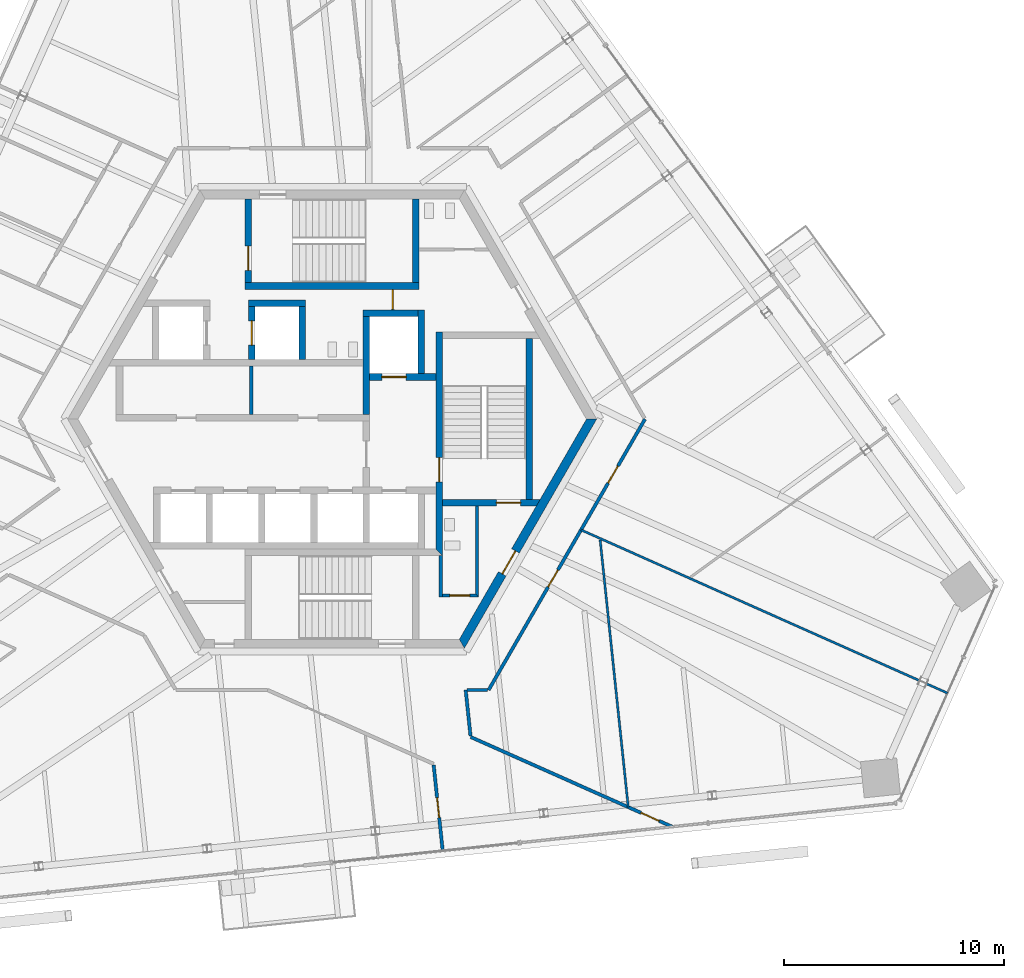
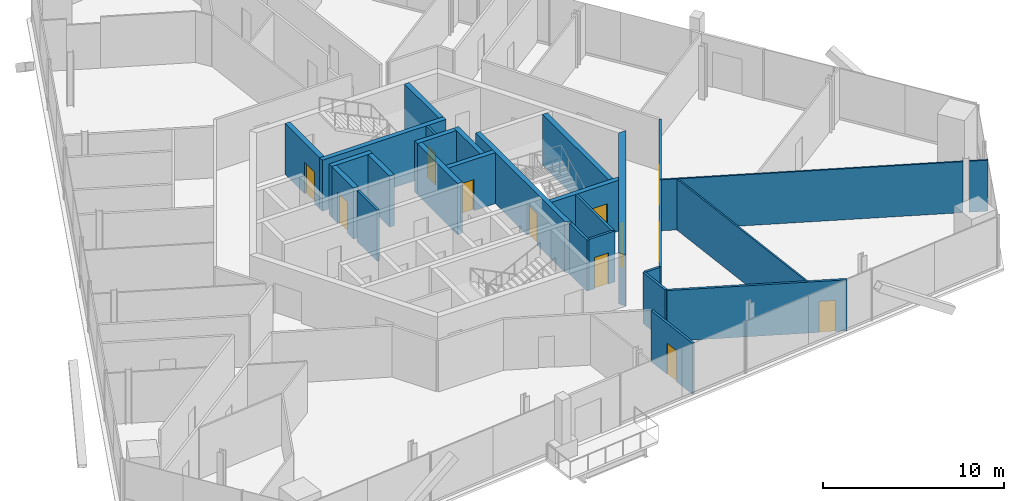
# One storey, part 13 of 19: 27 walls, 12 doors, 12 openings.
"""IFC4 building model written with IfcOpenShell, lengths in metres."""

import ifcopenshell
import ifcopenshell.guid

model = None  # the IFC model being written
_history = None  # IfcOwnerHistory: only IFC2X3 demands one
_inside = {}  # id of a spatial element -> (the spatial element, [elements in it])
_under = {}  # id of a project, library or spatial element -> (it, [spatial elements below it])
_declared = {}  # id of a project -> (the project, [libraries it declares])
_typed = {}  # id of a type object -> (the type object, [elements of that type])
_made_of = {}  # id of a material, layer set ... -> (it, [elements and type objects made of it])


def new_model(schema):
    """Start an empty IFC model of exactly this schema.

    Asked for "IFC4X3", IfcOpenShell would pick the latest addendum, in which some entities
    have other attributes; the version numbers below select the first issue.
    IFC2X3 requires an IfcOwnerHistory on every rooted entity: one is made here for all.
    """
    global model, _history
    if schema == "IFC4X3":
        model = ifcopenshell.file(schema_version=(4, 3, 0, 0))
    else:
        model = ifcopenshell.file(schema=schema)
    _inside.clear()
    _under.clear()
    _declared.clear()
    _typed.clear()
    _made_of.clear()
    _history = None
    if model.schema == "IFC2X3":
        org = make("IfcOrganization", Name="unknown")
        user = make(
            "IfcPersonAndOrganization",
            ThePerson=make("IfcPerson", FamilyName="unknown"),
            TheOrganization=org,
        )
        app = make(
            "IfcApplication",
            ApplicationDeveloper=org,
            Version="unknown",
            ApplicationFullName="unknown",
            ApplicationIdentifier="unknown",
        )
        _history = make(
            "IfcOwnerHistory",
            OwningUser=user,
            OwningApplication=app,
            ChangeAction="ADDED",
            CreationDate=0,
        )
    return model


def make(cls, **values):
    """One entity of the class cls with the attributes given. An attribute that is None is left unset."""
    return model.create_entity(
        cls, **{name: value for name, value in values.items() if value is not None}
    )


def rooted(cls, **values):
    """An entity with a GlobalId (a new one), such as an element, a storey or a relation."""
    return make(cls, GlobalId=ifcopenshell.guid.new(), OwnerHistory=_history, **values)


def si_unit(unit_type, name, prefix=None):
    """IfcSIUnit, for example si_unit("LENGTHUNIT", "METRE", prefix="MILLI")."""
    return make("IfcSIUnit", UnitType=unit_type, Prefix=prefix, Name=name)


def assignment(units):
    """IfcUnitAssignment: the units of a project."""
    return None if units is None else make("IfcUnitAssignment", Units=units)


def point(xyz):
    """IfcCartesianPoint."""
    return None if xyz is None else make("IfcCartesianPoint", Coordinates=xyz)


def direction(xyz):
    """IfcDirection."""
    return None if xyz is None else make("IfcDirection", DirectionRatios=xyz)


def frame(location, z_axis=None, x_axis=None):
    """IfcAxis2Placement3D, a coordinate frame: its origin and axes. An axis left out is left unset."""
    return make(
        "IfcAxis2Placement3D",
        Location=point(location),
        Axis=direction(z_axis),
        RefDirection=direction(x_axis),
    )


def frame_2d(location, x_axis=None):
    """IfcAxis2Placement2D, a coordinate frame in the plane: its origin and x axis."""
    return make(
        "IfcAxis2Placement2D", Location=point(location), RefDirection=direction(x_axis)
    )


def origin():
    """The frame at (0, 0, 0) with its axes left unset."""
    return frame((0.0, 0.0, 0.0))


def place(relative_to, where):
    """IfcLocalPlacement: puts the frame where relative to a parent placement (None: the world)."""
    return make(
        "IfcLocalPlacement", PlacementRelTo=relative_to, RelativePlacement=where
    )


def context(
    kind, dimensions, precision=None, world=None, true_north=None, identifier=None
):
    """IfcGeometricRepresentationContext, for example the 3D "Model" context."""
    return make(
        "IfcGeometricRepresentationContext",
        ContextIdentifier=identifier,
        ContextType=kind,
        CoordinateSpaceDimension=dimensions,
        Precision=precision,
        WorldCoordinateSystem=world,
        TrueNorth=true_north,
    )


def subcontext(parent, identifier, kind, view, scale=None):
    """IfcGeometricRepresentationSubContext, for example "Body" below "Model"."""
    return make(
        "IfcGeometricRepresentationSubContext",
        ContextIdentifier=identifier,
        ContextType=kind,
        ParentContext=parent,
        TargetScale=scale,
        TargetView=view,
    )


def project(units=None, contexts=None):
    """IfcProject with its units and contexts."""
    return rooted(
        "IfcProject",
        Name="project",
        RepresentationContexts=contexts,
        UnitsInContext=assignment(units),
    )


def spatial(cls, under=None, at=None, **own):
    """A site, building, storey or space (cls), placed at a placement, below another one or the project."""
    s = rooted(cls, ObjectPlacement=at, **own)
    if under is not None:
        _under.setdefault(under.id(), (under, []))[1].append(s)
    return s


def polyline(points):
    """IfcPolyline through the points."""
    return make("IfcPolyline", Points=[point(p) for p in points])


def profile(cls, at=None, kind="AREA", **sizes):
    """A parametric profile (cls). Its sizes go by their IFC names, for example OverallWidth=200.0."""
    return make(cls, ProfileType=kind, Position=at, **sizes)


def rectangle(**sizes):
    """IfcRectangleProfileDef."""
    return profile("IfcRectangleProfileDef", **sizes)


def outline(outer, holes=None, kind="AREA"):
    """IfcArbitraryClosedProfileDef: a profile drawn as a closed curve; with holes, ...WithVoids."""
    if holes is None:
        return make("IfcArbitraryClosedProfileDef", ProfileType=kind, OuterCurve=outer)
    return make(
        "IfcArbitraryProfileDefWithVoids",
        ProfileType=kind,
        OuterCurve=outer,
        InnerCurves=holes,
    )


def extrude(swept, where, along, depth):
    """IfcExtrudedAreaSolid: the profile swept, set in the frame where, extruded along a direction by depth."""
    return make(
        "IfcExtrudedAreaSolid",
        SweptArea=swept,
        Position=where,
        ExtrudedDirection=direction(along),
        Depth=depth,
    )


def shape(context_of_items, identifier, shape_type, items):
    """IfcShapeRepresentation: the items that make up one representation, for example the "Body"."""
    return make(
        "IfcShapeRepresentation",
        ContextOfItems=context_of_items,
        RepresentationIdentifier=identifier,
        RepresentationType=shape_type,
        Items=items,
    )


def source(mapping_origin, context_of_items, identifier, shape_type, items):
    """IfcRepresentationMap: a shape defined once, which mapped items show again and again."""
    return make(
        "IfcRepresentationMap",
        MappingOrigin=mapping_origin,
        MappedRepresentation=shape(context_of_items, identifier, shape_type, items),
    )


def transform(
    local_origin,
    x_axis=None,
    y_axis=None,
    z_axis=None,
    scale=None,
    scale2=None,
    scale3=None,
    uniform=True,
):
    """IfcCartesianTransformationOperator3D, or its non-uniform kind. x_axis, y_axis, z_axis: its Axis1, 2, 3."""
    if uniform:
        return make(
            "IfcCartesianTransformationOperator3D",
            Axis1=direction(x_axis),
            Axis2=direction(y_axis),
            LocalOrigin=point(local_origin),
            Scale=scale,
            Axis3=direction(z_axis),
        )
    return make(
        "IfcCartesianTransformationOperator3DnonUniform",
        Axis1=direction(x_axis),
        Axis2=direction(y_axis),
        LocalOrigin=point(local_origin),
        Scale=scale,
        Axis3=direction(z_axis),
        Scale2=scale2,
        Scale3=scale3,
    )


def mapped(mapping_source, mapping_target):
    """IfcMappedItem: shows the shape of a source again, moved by a transform."""
    return make(
        "IfcMappedItem", MappingSource=mapping_source, MappingTarget=mapping_target
    )


def material(Name=None, Category=None):
    """IfcMaterial."""
    return make("IfcMaterial", Name=Name, Category=Category)


def layer(
    of_material, thickness, ventilated=None, Name=None, Category=None, Priority=None
):
    """IfcMaterialLayer: one layer of a wall or slab, of a material (None: an air gap)."""
    return make(
        "IfcMaterialLayer",
        Material=of_material,
        LayerThickness=thickness,
        IsVentilated=ventilated,
        Name=Name,
        Category=Category,
        Priority=Priority,
    )


def layer_set(layers, Name=None):
    """IfcMaterialLayerSet."""
    return make("IfcMaterialLayerSet", MaterialLayers=layers, LayerSetName=Name)


def made_of(thing, what):
    """Note that an element or type object is made of a material, layer set ...; save() writes the relation."""
    if what is not None:
        _made_of.setdefault(what.id(), (what, []))[1].append(thing)
    return thing


def type_object(cls, material=None, **own):
    """A type object (cls), such as IfcWallType, which elements share."""
    return made_of(rooted(cls, **own), material)


def element(
    cls,
    number,
    at=None,
    inside=None,
    cuts=None,
    type_object=None,
    material=None,
    context=None,
    identifier="Body",
    shape_type=None,
    held_by="IfcProductDefinitionShape",
    body=None,
    shapes=None,
    **own,
):
    """One element of the class cls, such as IfcWall. Its Tag is "e" and its number.

    at: its placement. inside: the storey or other place that contains it. cuts: it is an
    opening in that element (IfcRelVoidsElement). A single representation is given by context,
    identifier, shape_type and body (its items); several are given by shapes. held_by: the class
    of the entity that holds the representations. save() writes the other relations.
    """
    e = rooted(cls, Tag="e%d" % number, ObjectPlacement=at, **own)
    if body is not None:
        shapes = [shape(context, identifier, shape_type, body)]
    if shapes is not None:
        e.Representation = make(held_by, Representations=shapes)
    if inside is not None:
        _inside.setdefault(inside.id(), (inside, []))[1].append(e)
    if cuts is not None:
        rooted(
            "IfcRelVoidsElement", RelatingBuildingElement=cuts, RelatedOpeningElement=e
        )
    if type_object is not None:
        _typed.setdefault(type_object.id(), (type_object, []))[1].append(e)
    return made_of(e, material)


def fill(opening, filler):
    """IfcRelFillsElement: the door or window that sits in an opening."""
    return rooted(
        "IfcRelFillsElement",
        RelatingOpeningElement=opening,
        RelatedBuildingElement=filler,
    )


def aggregate(whole, parts):
    """IfcRelAggregates: a whole, such as a stair, and the parts it consists of."""
    return rooted("IfcRelAggregates", RelatingObject=whole, RelatedObjects=parts)


def save(model, path):
    """Write the relations noted so far, then the file.

    IfcRelAggregates (storeys below a building ...), IfcRelContainedInSpatialStructure (elements
    in a storey), IfcRelDefinesByType, IfcRelAssociatesMaterial and IfcRelDeclares: one each for
    every whole, place, type object, material and project.
    """
    for whole, parts in _under.values():
        aggregate(whole, parts)
    for where, things in _inside.values():
        rooted(
            "IfcRelContainedInSpatialStructure",
            RelatedElements=things,
            RelatingStructure=where,
        )
    for kind, things in _typed.values():
        rooted("IfcRelDefinesByType", RelatedObjects=things, RelatingType=kind)
    for what, things in _made_of.values():
        rooted("IfcRelAssociatesMaterial", RelatedObjects=things, RelatingMaterial=what)
    for by, libraries in _declared.values():
        rooted("IfcRelDeclares", RelatingContext=by, RelatedDefinitions=libraries)
    model.write(path)


model = new_model("IFC4")

# Units and contexts
model_context = context("Model", 3, precision=1e-05, world=origin(), true_north=direction((0.0, 1.0)))
body_context = subcontext(model_context, "Body", "Model", "MODEL_VIEW")
ifc_project = project(units=[si_unit("LENGTHUNIT", "METRE"), si_unit("AREAUNIT", "SQUARE_METRE"), si_unit("VOLUMEUNIT", "CUBIC_METRE"), si_unit("PLANEANGLEUNIT", "RADIAN"), si_unit("MASSUNIT", "GRAM", prefix="KILO")], contexts=[model_context])

# Site, building, storey
site_placement = place(None, origin())
site = spatial("IfcSite", under=ifc_project, at=site_placement, CompositionType="ELEMENT")
building_placement = place(site_placement, origin())
building = spatial("IfcBuilding", under=site, at=building_placement, Name="Triune Harvest Tower", CompositionType="ELEMENT")
storey_placement = place(building_placement, frame((0.0, 0.0, 223.300048828125)))
storey = spatial("IfcBuildingStorey", under=building, at=storey_placement, Name="L58", CompositionType="ELEMENT", Elevation=223.300048828125)

# Wall, opening, door
ifc_material_1 = material(Name="Gypsum board on steel studs", Category="steel")
ifc_layer_1 = layer(ifc_material_1, 0.14990234375)
ifc_layer_set_1 = layer_set([ifc_layer_1], Name="Gypsum board on steel studs")
wall_type_1 = type_object("IfcWallType", Name="Fire Partition 150 mm", PredefinedType="PARTITIONING", material=ifc_layer_set_1)
wall_1_placement = place(storey_placement, frame((6.281494140625, -14.4208984375, 0.0), z_axis=(0.0, 0.0, 1.0), x_axis=(0.913540796146, -0.406747112808, 0.0)))
wall_1 = element("IfcWall", 1, at=wall_1_placement, inside=storey, type_object=wall_type_1, Name="Partition L58 021", PredefinedType="PARTITIONING", context=body_context, shape_type="SweptSolid", body=[
    extrude(rectangle(XDim=10.010009765625, YDim=0.14990234375, at=frame_2d((5.0048828125, 0.0))), origin(), (0.0, 0.0, 1.0), 3.43994140625),
])
opening_1_placement = place(wall_1_placement, frame((8.4599609375, 0.0, 0.0)))
opening_1 = element("IfcOpeningElement", 2, at=opening_1_placement, cuts=wall_1, Name="Opening L58-026", PredefinedType="OPENING", context=body_context, shape_type="SweptSolid", body=[
    extrude(rectangle(XDim=0.89990234375, YDim=2.10009765625, at=frame_2d((0.449951171875, 1.050048828125))), frame((0.0, 0.0849609375, 0.0), z_axis=(0.0, -1.0, 0.0), x_axis=(1.0, 0.0, 0.0)), (0.0, 0.0, 1.0), 0.169921875),
])
ifc_material_2 = material(Name="Timber and steel door set", Category="steel")
door_type_1 = type_object("IfcDoorType", Name="Single leaf door FD30 right hand 900 x 2100", OperationType="SINGLE_SWING_RIGHT", PredefinedType="DOOR", material=ifc_material_2)
door_1_placement = place(opening_1_placement, origin())
door_1 = element("IfcDoor", 3, at=door_1_placement, inside=storey, type_object=door_type_1, Name="Door L58-026 Open Office 58.26", OperationType="SINGLE_SWING_RIGHT", OverallHeight=2.10009765625, OverallWidth=0.89990234375, PredefinedType="DOOR", context=body_context, shape_type="SweptSolid", body=[
    extrude(rectangle(XDim=0.89990234375, YDim=2.10009765625, at=frame_2d((0.449951171875, 1.050048828125))), frame((0.0, 0.02490234375, 0.0), z_axis=(0.0, -1.0, 0.0), x_axis=(1.0, 0.0, 0.0)), (0.0, 0.0, 1.0), 0.050048828125),
])
fill(opening_1, door_1)

# Walls
ifc_material_3 = material(Name="Gypsum board on steel studs", Category="steel")
ifc_layer_2 = layer(ifc_material_3, 0.10009765625)
ifc_layer_set_2 = layer_set([ifc_layer_2], Name="Gypsum board on steel studs")
wall_type_2 = type_object("IfcWallType", Name="Partition 100 mm", PredefinedType="PARTITIONING", material=ifc_layer_set_2)
wall_2_placement = place(storey_placement, frame((12.158447265625, -5.4794921875, 0.0), z_axis=(0.0, 0.0, 1.0), x_axis=(0.104546150466, -0.99452003621, 0.0)))
element("IfcWall", 4, at=wall_2_placement, inside=storey, type_object=wall_type_2, Name="Partition L58 008", PredefinedType="PARTITIONING", context=body_context, shape_type="SweptSolid", body=[
    extrude(rectangle(XDim=12.1923828125, YDim=0.10009765625, at=frame_2d((6.09619140625, 0.0))), origin(), (0.0, 0.0, 1.0), 3.43994140625),
])
wall_3_placement = place(storey_placement, frame((11.29150390625, -5.02734375, 0.0), z_axis=(0.0, 0.0, 1.0), x_axis=(0.913543766061, -0.406740442409, 0.0)))
element("IfcWall", 5, at=wall_3_placement, inside=storey, type_object=wall_type_2, Name="Partition L58 027", PredefinedType="PARTITIONING", context=body_context, shape_type="SweptSolid", body=[
    extrude(rectangle(XDim=16.818115234375, YDim=0.10009765625, at=frame_2d((8.4091796875, 0.0))), origin(), (0.0, 0.0, 1.0), 3.43994140625),
])

# Wall, opening, door
ifc_material_4 = material(Name="Concrete 70 MPa", Category="concrete")
ifc_layer_3 = layer(ifc_material_4, 0.39990234375)
ifc_layer_set_3 = layer_set([ifc_layer_3], Name="Concrete 70 MPa")
wall_type_3 = type_object("IfcWallType", Name="Core wall 400", PredefinedType="SHEAR", material=ifc_layer_set_3)
shared_shape_1 = source(origin(), body_context, "Body", "SweptSolid", [
    extrude(outline(polyline([(-0.115478515625, -0.199951171875), (11.884521484375, -0.199951171875), (11.653564453125, 0.199951171875), (0.115478515625, 0.199951171875), (-0.115478515625, -0.199951171875)])), origin(), (0.0, 0.0, 1.0), 3.43994140625),
])
wall_4_placement = place(storey_placement, frame((5.884521484375, -10.1923828125, 0.0), z_axis=(0.0, 0.0, 1.0), x_axis=(0.499996592174, 0.866027371285, 0.0)))
wall_4 = element("IfcWall", 6, at=wall_4_placement, inside=storey, type_object=wall_type_3, Name="Hexagon 5 wall", PredefinedType="SHEAR", context=body_context, shape_type="MappedRepresentation", body=[
    mapped(shared_shape_1, transform((0.0, 0.0, 0.0), scale=1.0)),
])
opening_2_placement = place(wall_4_placement, frame((3.66455078125, 0.0, 0.0)))
opening_2 = element("IfcOpeningElement", 7, at=opening_2_placement, cuts=wall_4, Name="Opening CD-DP", PredefinedType="OPENING", context=body_context, shape_type="SweptSolid", body=[
    extrude(rectangle(XDim=1.199951171875, YDim=2.10009765625, at=frame_2d((0.60009765625, 1.050048828125))), frame((0.0, 0.2099609375, 0.0), z_axis=(0.0, -1.0, 0.0), x_axis=(1.0, 0.0, 0.0)), (0.0, 0.0, 1.0), 0.419921875),
])
ifc_material_5 = material(Name="Steel S235", Category="steel")
door_type_2 = type_object("IfcDoorType", Name="Stair door 1200 FD120", OperationType="SINGLE_SWING_LEFT", PredefinedType="DOOR", material=ifc_material_5)
door_2_placement = place(opening_2_placement, frame((1.199951171875, 0.0, 0.0), z_axis=(0.0, 0.0, 1.0), x_axis=(-1.0, 0.0, 0.0)))
door_2 = element("IfcDoor", 8, at=door_2_placement, inside=storey, type_object=door_type_2, Name="Door CD-DP", OperationType="SINGLE_SWING_RIGHT", OverallHeight=2.10009765625, OverallWidth=1.199951171875, PredefinedType="DOOR", context=body_context, shape_type="SweptSolid", body=[
    extrude(rectangle(XDim=1.199951171875, YDim=2.10009765625, at=frame_2d((0.60009765625, 1.050048828125))), frame((0.0, 0.02490234375, 0.0), z_axis=(0.0, -1.0, 0.0), x_axis=(1.0, 0.0, 0.0)), (0.0, 0.0, 1.0), 0.050048828125),
])
fill(opening_2, door_2)

# Walls
ifc_material_6 = material(Name="Concrete 70 MPa", Category="concrete")
ifc_layer_4 = layer(ifc_material_6, 0.300048828125)
ifc_layer_set_4 = layer_set([ifc_layer_4], Name="Concrete 70 MPa")
wall_type_4 = type_object("IfcWallType", Name="Core wall 300", PredefinedType="SHEAR", material=ifc_layer_set_4)
shared_shape_2 = source(origin(), body_context, "Body", "SweptSolid", [
    extrude(rectangle(XDim=2.5, YDim=0.300048828125, at=frame_2d((1.25, 0.0))), origin(), (0.0, 0.0, 1.0), 3.43994140625),
])
wall_5_placement = place(storey_placement, frame((1.39990234375, 4.81005859375, 0.0), z_axis=(0.0, 0.0, 1.0), x_axis=(1.0, 0.0, 0.0)))
element("IfcWall", 9, at=wall_5_placement, inside=storey, type_object=wall_type_4, Name="Ff1 back wall", PredefinedType="SHEAR", context=body_context, shape_type="MappedRepresentation", body=[
    mapped(shared_shape_2, transform((0.0, 0.0, 0.0), scale=1.0)),
])
shared_shape_3 = source(origin(), body_context, "Body", "SweptSolid", [
    extrude(rectangle(XDim=4.449951171875, YDim=0.300048828125, at=frame_2d((2.22509765625, 0.0))), origin(), (0.0, 0.0, 1.0), 3.43994140625),
])
wall_6_placement = place(storey_placement, frame((1.550048828125, 0.2099609375, 0.0), z_axis=(0.0, 0.0, 1.0), x_axis=(0.0, 1.0, 0.0)))
element("IfcWall", 10, at=wall_6_placement, inside=storey, type_object=wall_type_4, Name="Ff1 west wall", PredefinedType="SHEAR", context=body_context, shape_type="MappedRepresentation", body=[
    mapped(shared_shape_3, transform((0.0, 0.0, 0.0), scale=1.0)),
])

# Wall, opening, door
shared_shape_4 = source(origin(), body_context, "Body", "SweptSolid", [
    extrude(rectangle(XDim=3.0, YDim=0.300048828125, at=frame_2d((1.5, 0.0))), origin(), (0.0, 0.0, 1.0), 3.43994140625),
])
wall_7_placement = place(storey_placement, frame((1.699951171875, 1.909912109375, 0.0), z_axis=(0.0, 0.0, 1.0), x_axis=(1.0, 0.0, 0.0)))
wall_7 = element("IfcWall", 11, at=wall_7_placement, inside=storey, type_object=wall_type_4, Name="Ff1 front wall", PredefinedType="SHEAR", context=body_context, shape_type="MappedRepresentation", body=[
    mapped(shared_shape_4, transform((0.0, 0.0, 0.0), scale=1.0)),
])
opening_3_placement = place(wall_7_placement, frame((0.550048828125, 0.0, 0.0)))
opening_3 = element("IfcOpeningElement", 12, at=opening_3_placement, cuts=wall_7, Name="Opening LD-FF1-58", PredefinedType="OPENING", context=body_context, shape_type="SweptSolid", body=[
    extrude(rectangle(XDim=1.10009765625, YDim=2.10009765625, at=frame_2d((0.550048828125, 1.050048828125))), frame((0.0, 0.16015625, 0.0), z_axis=(0.0, -1.0, 0.0), x_axis=(1.0, 0.0, 0.0)), (0.0, 0.0, 1.0), 0.320068359375),
])
ifc_material_7 = material(Name="Stainless steel AISI 304", Category="steel")
door_type_3 = type_object("IfcDoorType", Name="Landing door 1100 x 2100", OperationType="DOUBLE_DOOR_SLIDING", PredefinedType="DOOR", material=ifc_material_7)
door_3_placement = place(opening_3_placement, origin())
door_3 = element("IfcDoor", 13, at=door_3_placement, inside=storey, type_object=door_type_3, Name="Door LD-FF1-58", OperationType="DOUBLE_DOOR_SLIDING", OverallHeight=2.10009765625, OverallWidth=1.10009765625, PredefinedType="DOOR", context=body_context, shape_type="SweptSolid", body=[
    extrude(rectangle(XDim=1.10009765625, YDim=2.10009765625, at=frame_2d((0.550048828125, 1.050048828125))), frame((0.0, 0.02490234375, 0.0), z_axis=(0.0, -1.0, 0.0), x_axis=(1.0, 0.0, 0.0)), (0.0, 0.0, 1.0), 0.050048828125),
])
fill(opening_3, door_3)

# Wall
shared_shape_5 = source(origin(), body_context, "Body", "SweptSolid", [
    extrude(rectangle(XDim=2.89990234375, YDim=0.300048828125, at=frame_2d((1.449951171875, 0.0))), origin(), (0.0, 0.0, 1.0), 3.43994140625),
])
wall_8_placement = place(storey_placement, frame((4.050048828125, 2.06005859375, 0.0), z_axis=(0.0, 0.0, 1.0), x_axis=(0.0, 1.0, 0.0)))
element("IfcWall", 14, at=wall_8_placement, inside=storey, type_object=wall_type_4, Name="Ff1 east wall", PredefinedType="SHEAR", context=body_context, shape_type="MappedRepresentation", body=[
    mapped(shared_shape_5, transform((0.0, 0.0, 0.0), scale=1.0)),
])

# Wall, opening, door
shared_shape_6 = source(origin(), body_context, "Body", "SweptSolid", [
    extrude(outline(polyline([(-0.14990234375, -0.14990234375), (9.989990234375, -0.14990234375), (9.989990234375, 0.14990234375), (0.14990234375, 0.14990234375), (-0.14990234375, -0.14990234375)])), origin(), (0.0, 0.0, 1.0), 3.43994140625),
])
wall_9_placement = place(storey_placement, frame((4.85009765625, -6.0400390625, 0.0), z_axis=(0.0, 0.0, 1.0), x_axis=(0.0, 1.0, 0.0)))
wall_9 = element("IfcWall", 15, at=wall_9_placement, inside=storey, type_object=wall_type_4, Name="Stair e west wall", PredefinedType="SHEAR", context=body_context, shape_type="MappedRepresentation", body=[
    mapped(shared_shape_6, transform((0.0, 0.0, 0.0), scale=1.0)),
])
opening_4_placement = place(wall_9_placement, frame((3.18994140625, 0.0, 0.0)))
opening_4 = element("IfcOpeningElement", 16, at=opening_4_placement, cuts=wall_9, Name="Opening CD-S3L", PredefinedType="OPENING", context=body_context, shape_type="SweptSolid", body=[
    extrude(rectangle(XDim=1.10009765625, YDim=2.10009765625, at=frame_2d((0.550048828125, 1.050048828125))), frame((0.0, 0.16015625, 0.0), z_axis=(0.0, -1.0, 0.0), x_axis=(1.0, 0.0, 0.0)), (0.0, 0.0, 1.0), 0.320068359375),
])
ifc_material_8 = material(Name="Steel S235", Category="steel")
door_type_4 = type_object("IfcDoorType", Name="Stair door 1100 FD120", OperationType="SINGLE_SWING_LEFT", PredefinedType="DOOR", material=ifc_material_8)
door_4_placement = place(opening_4_placement, frame((1.10009765625, 0.0, 0.0), z_axis=(0.0, 0.0, 1.0), x_axis=(-1.0, 0.0, 0.0)))
door_4 = element("IfcDoor", 17, at=door_4_placement, inside=storey, type_object=door_type_4, Name="Door CD-S3L", OperationType="SINGLE_SWING_RIGHT", OverallHeight=2.10009765625, OverallWidth=1.10009765625, PredefinedType="DOOR", context=body_context, shape_type="SweptSolid", body=[
    extrude(rectangle(XDim=1.10009765625, YDim=2.10009765625, at=frame_2d((0.550048828125, 1.050048828125))), frame((0.0, 0.02490234375, 0.0), z_axis=(0.0, -1.0, 0.0), x_axis=(1.0, 0.0, 0.0)), (0.0, 0.0, 1.0), 0.050048828125),
])
fill(opening_4, door_4)

shared_shape_7 = source(origin(), body_context, "Body", "SweptSolid", [
    extrude(outline(polyline([(0.0, -0.14990234375), (0.0, 0.14990234375), (4.43310546875, 0.14990234375), (4.260009765625, -0.14990234375), (0.0, -0.14990234375)])), origin(), (0.0, 0.0, 1.0), 3.43994140625),
])
wall_10_placement = place(storey_placement, frame((5.0, -3.800048828125, 0.0), z_axis=(0.0, 0.0, 1.0), x_axis=(1.0, 0.0, 0.0)))
wall_10 = element("IfcWall", 18, at=wall_10_placement, inside=storey, type_object=wall_type_4, Name="Stair e south wall", PredefinedType="SHEAR", context=body_context, shape_type="MappedRepresentation", body=[
    mapped(shared_shape_7, transform((0.0, 0.0, 0.0), scale=1.0)),
])
opening_5_placement = place(wall_10_placement, frame((2.449951171875, 0.0, 0.0)))
opening_5 = element("IfcOpeningElement", 19, at=opening_5_placement, cuts=wall_10, Name="Opening CD-S3D", PredefinedType="OPENING", context=body_context, shape_type="SweptSolid", body=[
    extrude(rectangle(XDim=1.10009765625, YDim=2.10009765625, at=frame_2d((0.550048828125, 1.050048828125))), frame((0.0, 0.16015625, 0.0), z_axis=(0.0, -1.0, 0.0), x_axis=(1.0, 0.0, 0.0)), (0.0, 0.0, 1.0), 0.320068359375),
])
door_5_placement = place(opening_5_placement, frame((1.10009765625, 0.0, 0.0), z_axis=(0.0, 0.0, 1.0), x_axis=(-1.0, 0.0, 0.0)))
door_5 = element("IfcDoor", 20, at=door_5_placement, inside=storey, type_object=door_type_4, Name="Door CD-S3D", OperationType="SINGLE_SWING_RIGHT", OverallHeight=2.10009765625, OverallWidth=1.10009765625, PredefinedType="DOOR", context=body_context, shape_type="SweptSolid", body=[
    extrude(rectangle(XDim=1.10009765625, YDim=2.10009765625, at=frame_2d((0.550048828125, 1.050048828125))), frame((0.0, 0.02490234375, 0.0), z_axis=(0.0, -1.0, 0.0), x_axis=(1.0, 0.0, 0.0)), (0.0, 0.0, 1.0), 0.050048828125),
])
fill(opening_5, door_5)

# Walls
shared_shape_8 = source(origin(), body_context, "Body", "SweptSolid", [
    extrude(rectangle(XDim=7.2998046875, YDim=0.300048828125, at=frame_2d((3.64990234375, 0.0))), origin(), (0.0, 0.0, 1.0), 3.43994140625),
])
wall_11_placement = place(storey_placement, frame((8.949951171875, -3.64990234375, 0.0), z_axis=(0.0, 0.0, 1.0), x_axis=(0.0, 1.0, 0.0)))
element("IfcWall", 21, at=wall_11_placement, inside=storey, type_object=wall_type_4, Name="Stair e east wall", PredefinedType="SHEAR", context=body_context, shape_type="MappedRepresentation", body=[
    mapped(shared_shape_8, transform((0.0, 0.0, 0.0), scale=1.0)),
])
shared_shape_9 = source(origin(), body_context, "Body", "SweptSolid", [
    extrude(rectangle(XDim=7.89990234375, YDim=0.300048828125, at=frame_2d((3.949951171875, 0.0))), origin(), (0.0, 0.0, 1.0), 3.43994140625),
])
wall_12_placement = place(storey_placement, frame((-3.949951171875, 6.0400390625, 0.0), z_axis=(0.0, 0.0, 1.0), x_axis=(1.0, 0.0, 0.0)))
element("IfcWall", 22, at=wall_12_placement, inside=storey, type_object=wall_type_4, Name="Stair n south wall", PredefinedType="SHEAR", context=body_context, shape_type="MappedRepresentation", body=[
    mapped(shared_shape_9, transform((0.0, 0.0, 0.0), scale=1.0)),
])

# Wall, opening, door
shared_shape_10 = source(origin(), body_context, "Body", "SweptSolid", [
    extrude(outline(polyline([(0.0, -0.14990234375), (0.0, 0.14990234375), (3.80419921875, 0.14990234375), (3.80419921875, -0.14990234375), (0.0, -0.14990234375)])), origin(), (0.0, 0.0, 1.0), 3.43994140625),
])
wall_13_placement = place(storey_placement, frame((-3.800048828125, 6.18994140625, 0.0), z_axis=(0.0, 0.0, 1.0), x_axis=(0.0, 1.0, 0.0)))
wall_13 = element("IfcWall", 23, at=wall_13_placement, inside=storey, type_object=wall_type_4, Name="Stair n west wall", PredefinedType="SHEAR", context=body_context, shape_type="MappedRepresentation", body=[
    mapped(shared_shape_10, transform((0.0, 0.0, 0.0), scale=1.0)),
])
opening_6_placement = place(wall_13_placement, frame((0.56005859375, 0.0, 0.0)))
opening_6 = element("IfcOpeningElement", 24, at=opening_6_placement, cuts=wall_13, Name="Opening CD-S1L", PredefinedType="OPENING", context=body_context, shape_type="SweptSolid", body=[
    extrude(rectangle(XDim=1.10009765625, YDim=2.10009765625, at=frame_2d((0.550048828125, 1.050048828125))), frame((0.0, 0.16015625, 0.0), z_axis=(0.0, -1.0, 0.0), x_axis=(1.0, 0.0, 0.0)), (0.0, 0.0, 1.0), 0.320068359375),
])
door_6_placement = place(opening_6_placement, frame((1.10009765625, 0.0, 0.0), z_axis=(0.0, 0.0, 1.0), x_axis=(-1.0, 0.0, 0.0)))
door_6 = element("IfcDoor", 25, at=door_6_placement, inside=storey, type_object=door_type_4, Name="Door CD-S1L", OperationType="SINGLE_SWING_RIGHT", OverallHeight=2.10009765625, OverallWidth=1.10009765625, PredefinedType="DOOR", context=body_context, shape_type="SweptSolid", body=[
    extrude(rectangle(XDim=1.10009765625, YDim=2.10009765625, at=frame_2d((0.550048828125, 1.050048828125))), frame((0.0, 0.02490234375, 0.0), z_axis=(0.0, -1.0, 0.0), x_axis=(1.0, 0.0, 0.0)), (0.0, 0.0, 1.0), 0.050048828125),
])
fill(opening_6, door_6)

# Wall
wall_14_placement = place(storey_placement, frame((3.800048828125, 6.18994140625, 0.0), z_axis=(0.0, 0.0, 1.0), x_axis=(0.0, 1.0, 0.0)))
element("IfcWall", 26, at=wall_14_placement, inside=storey, type_object=wall_type_4, Name="Stair n east wall", PredefinedType="SHEAR", context=body_context, shape_type="MappedRepresentation", body=[
    mapped(shared_shape_10, transform((0.0, 0.0, 0.0), scale=1.0)),
])

# Wall, opening, door
shared_shape_11 = source(origin(), body_context, "Body", "SweptSolid", [
    extrude(rectangle(XDim=2.400146484375, YDim=0.300048828125, at=frame_2d((1.2001953125, 0.0))), origin(), (0.0, 0.0, 1.0), 3.43994140625),
])
wall_15_placement = place(storey_placement, frame((-3.64990234375, 2.7099609375, 0.0), z_axis=(0.0, 0.0, 1.0), x_axis=(0.0, 1.0, 0.0)))
wall_15 = element("IfcWall", 27, at=wall_15_placement, inside=storey, type_object=wall_type_4, Name="Sv2 west wall", PredefinedType="SHEAR", context=body_context, shape_type="MappedRepresentation", body=[
    mapped(shared_shape_11, transform((0.0, 0.0, 0.0), scale=1.0)),
])
opening_7_placement = place(wall_15_placement, frame((0.64990234375, 0.0, 0.0)))
opening_7 = element("IfcOpeningElement", 28, at=opening_7_placement, cuts=wall_15, Name="Opening LD-SV2-58", PredefinedType="OPENING", context=body_context, shape_type="SweptSolid", body=[
    extrude(rectangle(XDim=1.10009765625, YDim=2.10009765625, at=frame_2d((0.550048828125, 1.050048828125))), frame((0.0, 0.16015625, 0.0), z_axis=(0.0, -1.0, 0.0), x_axis=(1.0, 0.0, 0.0)), (0.0, 0.0, 1.0), 0.320068359375),
])
door_7_placement = place(opening_7_placement, origin())
door_7 = element("IfcDoor", 29, at=door_7_placement, inside=storey, type_object=door_type_3, Name="Door LD-SV2-58", OperationType="DOUBLE_DOOR_SLIDING", OverallHeight=2.10009765625, OverallWidth=1.10009765625, PredefinedType="DOOR", context=body_context, shape_type="SweptSolid", body=[
    extrude(rectangle(XDim=1.10009765625, YDim=2.10009765625, at=frame_2d((0.550048828125, 1.050048828125))), frame((0.0, 0.02490234375, 0.0), z_axis=(0.0, -1.0, 0.0), x_axis=(1.0, 0.0, 0.0)), (0.0, 0.0, 1.0), 0.050048828125),
])
fill(opening_7, door_7)

# Walls
wall_16_placement = place(storey_placement, frame((-1.35009765625, 2.7099609375, 0.0), z_axis=(0.0, 0.0, 1.0), x_axis=(0.0, 1.0, 0.0)))
element("IfcWall", 30, at=wall_16_placement, inside=storey, type_object=wall_type_4, Name="Sv2 east wall", PredefinedType="SHEAR", context=body_context, shape_type="MappedRepresentation", body=[
    mapped(shared_shape_11, transform((0.0, 0.0, 0.0), scale=1.0)),
])
shared_shape_12 = source(origin(), body_context, "Body", "SweptSolid", [
    extrude(rectangle(XDim=2.60009765625, YDim=0.300048828125, at=frame_2d((1.300048828125, 0.0))), origin(), (0.0, 0.0, 1.0), 3.43994140625),
])
wall_17_placement = place(storey_placement, frame((-3.800048828125, 5.260009765625, 0.0), z_axis=(0.0, 0.0, 1.0), x_axis=(1.0, 0.0, 0.0)))
element("IfcWall", 31, at=wall_17_placement, inside=storey, type_object=wall_type_4, Name="Sv2 north wall", PredefinedType="SHEAR", context=body_context, shape_type="MappedRepresentation", body=[
    mapped(shared_shape_12, transform((0.0, 0.0, 0.0), scale=1.0)),
])

# Wall, opening, door
ifc_material_9 = material(Name="Concrete masonry unit", Category="masonry")
ifc_layer_5 = layer(ifc_material_9, 0.14990234375)
ifc_layer_set_5 = layer_set([ifc_layer_5], Name="Concrete masonry unit")
wall_type_5 = type_object("IfcWallType", Name="Block partition 150 unrated", PredefinedType="PARTITIONING", material=ifc_layer_set_5)
shared_shape_13 = source(origin(), body_context, "Body", "SweptSolid", [
    extrude(outline(polyline([(0.0, -0.074951171875), (1.64990234375, -0.074951171875), (1.5, 0.074951171875), (0.0, 0.074951171875), (0.0, -0.074951171875)])), origin(), (0.0, 0.0, 1.0), 3.43994140625),
])
wall_18_placement = place(storey_placement, frame((5.0, -8.0, 0.0), z_axis=(0.0, 0.0, 1.0), x_axis=(1.0, 0.0, 0.0)))
wall_18 = element("IfcWall", 32, at=wall_18_placement, inside=storey, type_object=wall_type_5, Name="Wc acc south wall", PredefinedType="PARTITIONING", context=body_context, shape_type="MappedRepresentation", body=[
    mapped(shared_shape_13, transform((0.0, 0.0, 0.0), scale=1.0)),
])
opening_8_placement = place(wall_18_placement, frame((0.33740234375, 0.0, 0.0)))
opening_8 = element("IfcOpeningElement", 33, at=opening_8_placement, cuts=wall_18, Name="Opening CD-WA", PredefinedType="OPENING", context=body_context, shape_type="SweptSolid", body=[
    extrude(rectangle(XDim=0.89990234375, YDim=2.10009765625, at=frame_2d((0.449951171875, 1.050048828125))), frame((0.0, 0.0849609375, 0.0), z_axis=(0.0, -1.0, 0.0), x_axis=(1.0, 0.0, 0.0)), (0.0, 0.0, 1.0), 0.169921875),
])
ifc_material_10 = material(Name="Timber C24", Category="wood")
door_type_5 = type_object("IfcDoorType", Name="WC door 900", OperationType="SINGLE_SWING_LEFT", PredefinedType="DOOR", material=ifc_material_10)
door_8_placement = place(opening_8_placement, origin())
door_8 = element("IfcDoor", 34, at=door_8_placement, inside=storey, type_object=door_type_5, Name="Door CD-WA", OperationType="SINGLE_SWING_LEFT", OverallHeight=2.10009765625, OverallWidth=0.89990234375, PredefinedType="DOOR", context=body_context, shape_type="SweptSolid", body=[
    extrude(rectangle(XDim=0.89990234375, YDim=2.10009765625, at=frame_2d((0.449951171875, 1.050048828125))), frame((0.0, 0.02490234375, 0.0), z_axis=(0.0, -1.0, 0.0), x_axis=(1.0, 0.0, 0.0)), (0.0, 0.0, 1.0), 0.050048828125),
])
fill(opening_8, door_8)

# Walls
shared_shape_14 = source(origin(), body_context, "Body", "SweptSolid", [
    extrude(outline(polyline([(-0.074951171875, -0.074951171875), (4.050048828125, -0.074951171875), (4.050048828125, 0.074951171875), (0.074951171875, 0.074951171875), (-0.074951171875, -0.074951171875)])), origin(), (0.0, 0.0, 1.0), 3.43994140625),
])
wall_19_placement = place(storey_placement, frame((6.574951171875, -8.0, 0.0), z_axis=(0.0, 0.0, 1.0), x_axis=(0.0, 1.0, 0.0)))
element("IfcWall", 35, at=wall_19_placement, inside=storey, type_object=wall_type_5, Name="Wc acc east wall", PredefinedType="PARTITIONING", context=body_context, shape_type="MappedRepresentation", body=[
    mapped(shared_shape_14, transform((0.0, 0.0, 0.0), scale=1.0)),
])
shared_shape_15 = source(origin(), body_context, "Body", "SweptSolid", [
    extrude(rectangle(XDim=1.885009765625, YDim=0.14990234375, at=frame_2d((0.9423828125, 0.0))), origin(), (0.0, 0.0, 1.0), 3.43994140625),
])
wall_20_placement = place(storey_placement, frame((4.925048828125, -8.074951171875, 0.0), z_axis=(0.0, 0.0, 1.0), x_axis=(0.0, 1.0, 0.0)))
element("IfcWall", 36, at=wall_20_placement, inside=storey, type_object=wall_type_5, Name="Wc acc west wall", PredefinedType="PARTITIONING", context=body_context, shape_type="MappedRepresentation", body=[
    mapped(shared_shape_15, transform((0.0, 0.0, 0.0), scale=1.0)),
])

# Wall, opening, door
shared_shape_16 = source(origin(), body_context, "Body", "SweptSolid", [
    extrude(rectangle(XDim=0.929931640625, YDim=0.14990234375, at=frame_2d((0.46484375, 0.0))), origin(), (0.0, 0.0, 1.0), 3.43994140625),
])
wall_21_placement = place(storey_placement, frame((2.75, 4.9599609375, 0.0), z_axis=(0.0, 0.0, 1.0), x_axis=(0.0, 1.0, 0.0)))
wall_21 = element("IfcWall", 37, at=wall_21_placement, inside=storey, type_object=wall_type_5, Name="Wc men east b wall", PredefinedType="PARTITIONING", context=body_context, shape_type="MappedRepresentation", body=[
    mapped(shared_shape_16, transform((0.0, 0.0, 0.0), scale=1.0)),
])
opening_9_placement = place(wall_21_placement, frame((0.014892578125, 0.0, 0.0)))
opening_9 = element("IfcOpeningElement", 38, at=opening_9_placement, cuts=wall_21, Name="Opening CD-WM", PredefinedType="OPENING", context=body_context, shape_type="SweptSolid", body=[
    extrude(rectangle(XDim=0.89990234375, YDim=2.10009765625, at=frame_2d((0.449951171875, 1.050048828125))), frame((0.0, 0.0849609375, 0.0), z_axis=(0.0, -1.0, 0.0), x_axis=(1.0, 0.0, 0.0)), (0.0, 0.0, 1.0), 0.169921875),
])
door_9_placement = place(opening_9_placement, origin())
door_9 = element("IfcDoor", 39, at=door_9_placement, inside=storey, type_object=door_type_5, Name="Door CD-WM", OperationType="SINGLE_SWING_LEFT", OverallHeight=2.10009765625, OverallWidth=0.89990234375, PredefinedType="DOOR", context=body_context, shape_type="SweptSolid", body=[
    extrude(rectangle(XDim=0.89990234375, YDim=2.10009765625, at=frame_2d((0.449951171875, 1.050048828125))), frame((0.0, 0.02490234375, 0.0), z_axis=(0.0, -1.0, 0.0), x_axis=(1.0, 0.0, 0.0)), (0.0, 0.0, 1.0), 0.050048828125),
])
fill(opening_9, door_9)

# Wall
ifc_material_11 = material(Name="Concrete masonry unit", Category="masonry")
ifc_layer_6 = layer(ifc_material_11, 0.14990234375)
ifc_layer_set_6 = layer_set([ifc_layer_6], Name="Concrete masonry unit")
wall_type_6 = type_object("IfcWallType", Name="Block partition 150", PredefinedType="PARTITIONING", material=ifc_layer_set_6)
shared_shape_17 = source(origin(), body_context, "Body", "SweptSolid", [
    extrude(rectangle(XDim=2.199951171875, YDim=0.14990234375, at=frame_2d((1.10009765625, 0.0))), origin(), (0.0, 0.0, 1.0), 3.43994140625),
])
wall_22_placement = place(storey_placement, frame((-3.669921875, 0.2099609375, 0.0), z_axis=(0.0, 0.0, 1.0), x_axis=(0.0, 1.0, 0.0)))
element("IfcWall", 40, at=wall_22_placement, inside=storey, type_object=wall_type_6, Name="Row n part 1 wall", PredefinedType="PARTITIONING", context=body_context, shape_type="MappedRepresentation", body=[
    mapped(shared_shape_17, transform((0.0, 0.0, 0.0), scale=1.0)),
])

# Wall, openings, doors
shared_shape_18 = source(origin(), body_context, "Body", "SweptSolid", [
    extrude(rectangle(XDim=14.19384765625, YDim=0.14990234375, at=frame_2d((7.096923828125, 0.0))), origin(), (0.0, 0.0, 1.0), 3.43994140625),
])
wall_23_placement = place(storey_placement, frame((7.096923828125, -12.292236328125, 0.0), z_axis=(0.0, 0.0, 1.0), x_axis=(0.499999887723, 0.866025468608, 0.0)))
wall_23 = element("IfcWall", 41, at=wall_23_placement, inside=storey, type_object=wall_type_1, Name="Partition L58 056", PredefinedType="PARTITIONING", context=body_context, shape_type="MappedRepresentation", body=[
    mapped(shared_shape_18, transform((0.0, 0.0, 0.0), scale=1.0)),
])
opening_10_placement = place(wall_23_placement, frame((10.839111328125, 0.0, 0.0)))
opening_10 = element("IfcOpeningElement", 42, at=opening_10_placement, cuts=wall_23, Name="Opening L58-002", PredefinedType="OPENING", context=body_context, shape_type="SweptSolid", body=[
    extrude(rectangle(XDim=0.89990234375, YDim=2.10009765625, at=frame_2d((0.449951171875, 1.050048828125))), frame((0.0, 0.0849609375, 0.0), z_axis=(0.0, -1.0, 0.0), x_axis=(1.0, 0.0, 0.0)), (0.0, 0.0, 1.0), 0.169921875),
])
opening_11_placement = place(wall_23_placement, frame((5.393310546875, 0.0, 0.0)))
opening_11 = element("IfcOpeningElement", 43, at=opening_11_placement, cuts=wall_23, Name="Opening L58-025", PredefinedType="OPENING", context=body_context, shape_type="SweptSolid", body=[
    extrude(rectangle(XDim=0.89990234375, YDim=2.10009765625, at=frame_2d((0.449951171875, 1.050048828125))), frame((0.0, 0.0849609375, 0.0), z_axis=(0.0, -1.0, 0.0), x_axis=(1.0, 0.0, 0.0)), (0.0, 0.0, 1.0), 0.169921875),
])
ifc_material_12 = material(Name="Timber and steel door set", Category="steel")
door_type_6 = type_object("IfcDoorType", Name="Single leaf door FD30 left hand 900 x 2100", OperationType="SINGLE_SWING_LEFT", PredefinedType="DOOR", material=ifc_material_12)
door_10_placement = place(opening_10_placement, origin())
door_10 = element("IfcDoor", 44, at=door_10_placement, inside=storey, type_object=door_type_6, Name="Door L58-002 Project Room 58.02", OperationType="SINGLE_SWING_LEFT", OverallHeight=2.10009765625, OverallWidth=0.89990234375, PredefinedType="DOOR", context=body_context, shape_type="SweptSolid", body=[
    extrude(rectangle(XDim=0.89990234375, YDim=2.10009765625, at=frame_2d((0.449951171875, 1.050048828125))), frame((0.0, 0.02490234375, 0.0), z_axis=(0.0, -1.0, 0.0), x_axis=(1.0, 0.0, 0.0)), (0.0, 0.0, 1.0), 0.050048828125),
])
fill(opening_10, door_10)
door_11_placement = place(opening_11_placement, origin())
door_11 = element("IfcDoor", 45, at=door_11_placement, inside=storey, type_object=door_type_1, Name="Door L58-025 Pantry 58.25", OperationType="SINGLE_SWING_RIGHT", OverallHeight=2.10009765625, OverallWidth=0.89990234375, PredefinedType="DOOR", context=body_context, shape_type="SweptSolid", body=[
    extrude(rectangle(XDim=0.89990234375, YDim=2.10009765625, at=frame_2d((0.449951171875, 1.050048828125))), frame((0.0, 0.02490234375, 0.0), z_axis=(0.0, -1.0, 0.0), x_axis=(1.0, 0.0, 0.0)), (0.0, 0.0, 1.0), 0.050048828125),
])
fill(opening_11, door_11)

# Wall
shared_shape_19 = source(origin(), body_context, "Body", "SweptSolid", [
    extrude(rectangle(XDim=1.0478515625, YDim=0.10009765625, at=frame_2d((0.52392578125, 0.0))), origin(), (0.0, 0.0, 1.0), 3.43994140625),
])
wall_24_placement = place(storey_placement, frame((26.9619140625, -12.00439453125, 0.0), z_axis=(0.0, 0.0, 1.0), x_axis=(0.913609658968, -0.406592413899, 0.0)))
element("IfcWall", 46, at=wall_24_placement, inside=storey, type_object=wall_type_2, Name="Partition L58 028", PredefinedType="PARTITIONING", context=body_context, shape_type="MappedRepresentation", body=[
    mapped(shared_shape_19, transform((0.0, 0.0, 0.0), scale=1.0)),
])

# Wall, opening, door
shared_shape_20 = source(origin(), body_context, "Body", "SweptSolid", [
    extrude(rectangle(XDim=3.915771484375, YDim=0.14990234375, at=frame_2d((1.9580078125, 0.0))), origin(), (0.0, 0.0, 1.0), 3.43994140625),
])
wall_25_placement = place(storey_placement, frame((4.60498046875, -15.6923828125, 0.0), z_axis=(0.0, 0.0, 1.0), x_axis=(0.104496540599, -0.994525250058, 0.0)))
wall_25 = element("IfcWall", 47, at=wall_25_placement, inside=storey, type_object=wall_type_1, Name="Partition L58 005", PredefinedType="PARTITIONING", context=body_context, shape_type="MappedRepresentation", body=[
    mapped(shared_shape_20, transform((0.0, 0.0, 0.0), scale=1.0)),
])
opening_12_placement = place(wall_25_placement, frame((1.5, 0.0, 0.0)))
opening_12 = element("IfcOpeningElement", 48, at=opening_12_placement, cuts=wall_25, Name="Opening L58-024", PredefinedType="OPENING", context=body_context, shape_type="SweptSolid", body=[
    extrude(rectangle(XDim=0.89990234375, YDim=2.10009765625, at=frame_2d((0.449951171875, 1.050048828125))), frame((0.0, 0.0849609375, 0.0), z_axis=(0.0, -1.0, 0.0), x_axis=(1.0, 0.0, 0.0)), (0.0, 0.0, 1.0), 0.169921875),
])
door_12_placement = place(opening_12_placement, origin())
door_12 = element("IfcDoor", 49, at=door_12_placement, inside=storey, type_object=door_type_6, Name="Door L58-024 Office 58.24", OperationType="SINGLE_SWING_LEFT", OverallHeight=2.10009765625, OverallWidth=0.89990234375, PredefinedType="DOOR", context=body_context, shape_type="SweptSolid", body=[
    extrude(rectangle(XDim=0.89990234375, YDim=2.10009765625, at=frame_2d((0.449951171875, 1.050048828125))), frame((0.0, 0.02490234375, 0.0), z_axis=(0.0, -1.0, 0.0), x_axis=(1.0, 0.0, 0.0)), (0.0, 0.0, 1.0), 0.050048828125),
])
fill(opening_12, door_12)

# Walls
shared_shape_21 = source(origin(), body_context, "Body", "SweptSolid", [
    extrude(rectangle(XDim=2.09033203125, YDim=0.14990234375, at=frame_2d((1.045166015625, 0.0))), origin(), (0.0, 0.0, 1.0), 3.43994140625),
])
wall_26_placement = place(storey_placement, frame((6.057861328125, -12.29248046875, 0.0), z_axis=(0.0, 0.0, 1.0), x_axis=(0.104532787966, -0.994521440815, 0.0)))
element("IfcWall", 50, at=wall_26_placement, inside=storey, type_object=wall_type_1, Name="Partition L58 007", PredefinedType="PARTITIONING", context=body_context, shape_type="MappedRepresentation", body=[
    mapped(shared_shape_21, transform((0.0, 0.0, 0.0), scale=1.0)),
])
shared_shape_22 = source(origin(), body_context, "Body", "SweptSolid", [
    extrude(rectangle(XDim=0.92919921875, YDim=0.14990234375, at=frame_2d((0.464599609375, 0.0))), origin(), (0.0, 0.0, 1.0), 3.43994140625),
])
wall_27_placement = place(storey_placement, frame((6.117919921875, -12.292236328125, 0.0), z_axis=(0.0, 0.0, 1.0), x_axis=(1.0, 0.0, 0.0)))
element("IfcWall", 51, at=wall_27_placement, inside=storey, type_object=wall_type_1, Name="Partition L58 035", PredefinedType="PARTITIONING", context=body_context, shape_type="MappedRepresentation", body=[
    mapped(shared_shape_22, transform((0.0, 0.0, 0.0), scale=1.0)),
])

save(model, "model.ifc")
